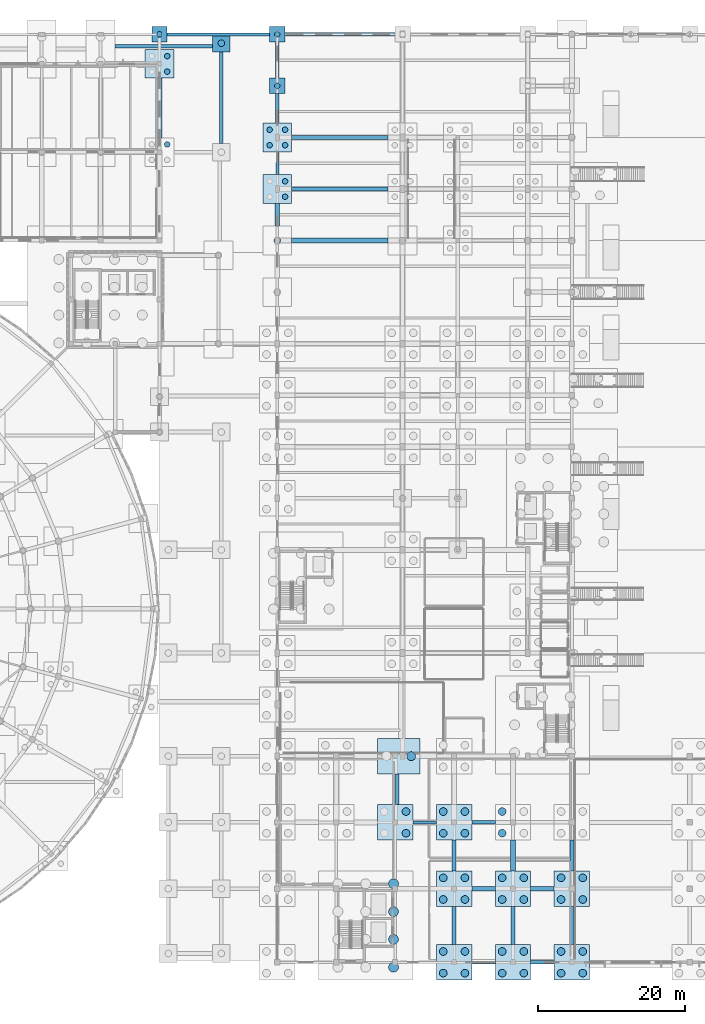
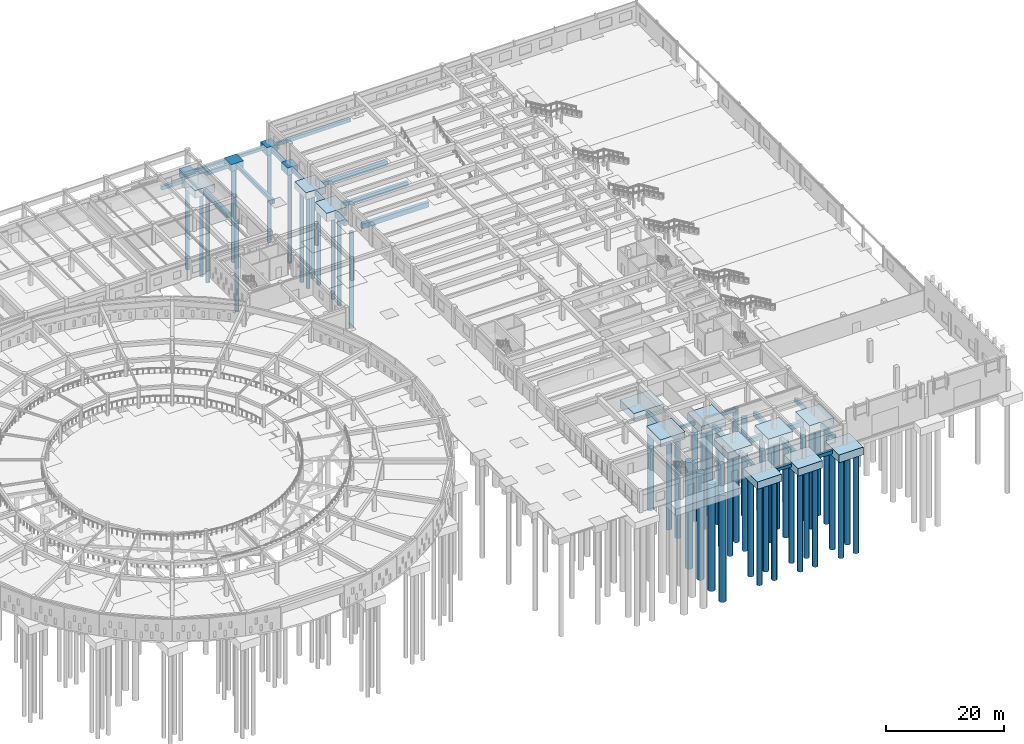
# One storey, part 8 of 84: 51 piles, 41 footings.
"""IFC4 building model written with IfcOpenShell, lengths in metres."""

from ifc_helpers import new_model, si_unit, direction, frame, origin, origin_2d, place, context, subcontext, project, spatial, rectangle, circle, extrude, material, material_profile, profile_set, type_object, element, save


model = new_model("IFC4")

# Units and contexts
model_context = context("Model", 3, precision=1e-05, world=origin(), true_north=direction((0.0, 1.0)))
body_context = subcontext(model_context, "Body", "Model", "MODEL_VIEW")
ifc_project = project(units=[si_unit("LENGTHUNIT", "METRE"), si_unit("AREAUNIT", "SQUARE_METRE"), si_unit("VOLUMEUNIT", "CUBIC_METRE"), si_unit("PLANEANGLEUNIT", "RADIAN"), si_unit("MASSUNIT", "GRAM", prefix="KILO")], contexts=[model_context])

# Site, building, storey
site_placement = place(None, origin())
site = spatial("IfcSite", under=ifc_project, at=site_placement, CompositionType="ELEMENT")
building_placement = place(site_placement, origin())
building = spatial("IfcBuilding", under=site, at=building_placement, Name="Larkveld Mobility Hub", CompositionType="ELEMENT")
storey_placement = place(building_placement, origin())
storey = spatial("IfcBuildingStorey", under=building, at=storey_placement, Name="L00", CompositionType="ELEMENT", Elevation=0.0)

# Footings
ifc_material = material(Name="Concrete C35/45", Category="concrete")
ifc_material_profile_1 = material_profile(ifc_material, rectangle(XDim=0.39990234375, YDim=0.60009765625, at=origin_2d()), Name="RC BM 400x600")
ifc_profile_set_1 = profile_set([ifc_material_profile_1], Name="Concrete C35/45")
footing_type_1 = type_object("IfcFootingType", Name="FT-FB01", PredefinedType="FOOTING_BEAM", material=ifc_profile_set_1)
for number, where, z_axis, x_axis, name in (
    (1, (138.39990234375, 0.0, -0.64990234375), (1.0, 0.0, 0.0), (0.0, 1.0, 0.0), "Ground Tie Beam GB-001"),
    (2, (130.39990234375, 19.0, -0.64990234375), (1.0, 0.0, 0.0), (0.0, 1.0, 0.0), "Ground Tie Beam GB-013"),
):
    element("IfcFooting", number, at=place(storey_placement, frame(where, z_axis=z_axis, x_axis=x_axis)), inside=storey, type_object=footing_type_1, Name=name, PredefinedType="FOOTING_BEAM", context=body_context, shape_type="SweptSolid", body=[
        extrude(rectangle(XDim=0.39990234375, YDim=0.60009765625, at=origin_2d()), origin(), (0.0, 0.0, 1.0), 3.2001953125),
    ])
footing_1_placement = place(storey_placement, frame((97.050048828125, 126.0, -0.64990234375), z_axis=(1.0, 0.0, 0.0), x_axis=(0.0, 1.0, 0.0)))
element("IfcFooting", 3, at=footing_1_placement, inside=storey, type_object=footing_type_1, Name="Ground Tie Beam GB-091", PredefinedType="FOOTING_BEAM", context=body_context, shape_type="SweptSolid", body=[
    extrude(rectangle(XDim=0.39990234375, YDim=0.60009765625, at=origin_2d()), origin(), (0.0, 0.0, 1.0), 13.89990234375),
])
footing_2_placement = place(storey_placement, frame((112.0, 106.949951171875, -0.64990234375), z_axis=(0.0, 1.0, 0.0), x_axis=(-1.0, 0.0, 0.0)))
element("IfcFooting", 4, at=footing_2_placement, inside=storey, type_object=footing_type_1, Name="Ground Tie Beam GB-151", PredefinedType="FOOTING_BEAM", context=body_context, shape_type="SweptSolid", body=[
    extrude(rectangle(XDim=0.39990234375, YDim=0.60009765625, at=origin_2d()), origin(), (0.0, 0.0, 1.0), 3.10009765625),
])
ifc_material_profile_2 = material_profile(ifc_material, rectangle(XDim=0.449951171875, YDim=0.699951171875, at=origin_2d()), Name="RC BM 450x700")
ifc_profile_set_2 = profile_set([ifc_material_profile_2], Name="Concrete C35/45")
footing_type_2 = type_object("IfcFootingType", Name="FT-FB02", PredefinedType="FOOTING_BEAM", material=ifc_profile_set_2)
for number, where, z_axis, x_axis, name in (
    (5, (146.39990234375, 0.0, -0.699951171875), (1.0, 0.0, 0.0), (0.0, 1.0, 0.0), "Ground Tie Beam GB-002"),
    (6, (138.39990234375, 19.0, -0.699951171875), (1.0, 0.0, 0.0), (0.0, 1.0, 0.0), "Ground Tie Beam GB-014"),
):
    element("IfcFooting", number, at=place(storey_placement, frame(where, z_axis=z_axis, x_axis=x_axis)), inside=storey, type_object=footing_type_2, Name=name, PredefinedType="FOOTING_BEAM", context=body_context, shape_type="SweptSolid", body=[
        extrude(rectangle(XDim=0.449951171875, YDim=0.699951171875, at=origin_2d()), origin(), (0.0, 0.0, 1.0), 3.2001953125),
    ])
footing_3_placement = place(storey_placement, frame((113.050048828125, 126.0, -0.699951171875), z_axis=(1.0, 0.0, 0.0), x_axis=(0.0, 1.0, 0.0)))
element("IfcFooting", 7, at=footing_3_placement, inside=storey, type_object=footing_type_2, Name="Ground Tie Beam GB-092", PredefinedType="FOOTING_BEAM", context=body_context, shape_type="SweptSolid", body=[
    extrude(rectangle(XDim=0.449951171875, YDim=0.699951171875, at=origin_2d()), origin(), (0.0, 0.0, 1.0), 14.89990234375),
])
footing_4_placement = place(storey_placement, frame((112.0, 113.949951171875, -0.699951171875), z_axis=(0.0, 1.0, 0.0), x_axis=(-1.0, 0.0, 0.0)))
element("IfcFooting", 8, at=footing_4_placement, inside=storey, type_object=footing_type_2, Name="Ground Tie Beam GB-152", PredefinedType="FOOTING_BEAM", context=body_context, shape_type="SweptSolid", body=[
    extrude(rectangle(XDim=0.449951171875, YDim=0.699951171875, at=origin_2d()), origin(), (0.0, 0.0, 1.0), 4.0),
])
ifc_material_profile_3 = material_profile(ifc_material, rectangle(XDim=0.5, YDim=0.800048828125, at=origin_2d()), Name="RC BM 500x800")
ifc_profile_set_3 = profile_set([ifc_material_profile_3], Name="Concrete C35/45")
footing_type_3 = type_object("IfcFootingType", Name="FT-FB03", PredefinedType="FOOTING_BEAM", material=ifc_profile_set_3)
footing_5_placement = place(storey_placement, frame((112.0, 120.050048828125, -0.75), z_axis=(0.0, 1.0, 0.0), x_axis=(-1.0, 0.0, 0.0)))
element("IfcFooting", 9, at=footing_5_placement, inside=storey, type_object=footing_type_3, Name="Ground Tie Beam GB-153", PredefinedType="FOOTING_BEAM", context=body_context, shape_type="SweptSolid", body=[
    extrude(rectangle(XDim=0.5, YDim=0.800048828125, at=origin_2d()), origin(), (0.0, 0.0, 1.0), 4.89990234375),
])
for number, where, z_axis, x_axis, name in (
    (10, (136.0, 2.39990234375, -0.75), (0.0, 1.0, 0.0), (-1.0, 0.0, 0.0), "Ground Tie Beam GB-165"),
    (11, (152.0, 2.39990234375, -0.75), (0.0, 1.0, 0.0), (-1.0, 0.0, 0.0), "Ground Tie Beam GB-183"),
):
    element("IfcFooting", number, at=place(storey_placement, frame(where, z_axis=z_axis, x_axis=x_axis)), inside=storey, type_object=footing_type_3, Name=name, PredefinedType="FOOTING_BEAM", context=body_context, shape_type="SweptSolid", body=[
        extrude(rectangle(XDim=0.5, YDim=0.800048828125, at=origin_2d()), origin(), (0.0, 0.0, 1.0), 5.2001953125),
    ])
footing_6_placement = place(storey_placement, frame((89.949951171875, 124.39990234375, -0.580078125), z_axis=(1.0, 0.0, 0.0), x_axis=(0.0, 1.0, 0.0)))
element("IfcFooting", 12, at=footing_6_placement, inside=storey, type_object=footing_type_3, Name="Passage Ground Tie Beam PGB-018", PredefinedType="FOOTING_BEAM", context=body_context, shape_type="SweptSolid", body=[
    extrude(rectangle(XDim=0.5, YDim=0.800048828125, at=origin_2d()), origin(), (0.0, 0.0, 1.0), 13.25),
])
footing_7_placement = place(storey_placement, frame((104.39990234375, 111.199951171875, -0.580078125), z_axis=(0.0, 1.0, 0.0), x_axis=(-1.0, 0.0, 0.0)))
element("IfcFooting", 13, at=footing_7_placement, inside=storey, type_object=footing_type_3, Name="Passage Ground Tie Beam PGB-029", PredefinedType="FOOTING_BEAM", context=body_context, shape_type="SweptSolid", body=[
    extrude(rectangle(XDim=0.5, YDim=0.800048828125, at=origin_2d()), origin(), (0.0, 0.0, 1.0), 12.400146484375),
])
ifc_material_profile_4 = material_profile(ifc_material, rectangle(XDim=0.550048828125, YDim=0.85009765625, at=origin_2d()), Name="RC BM 550x850")
ifc_profile_set_4 = profile_set([ifc_material_profile_4], Name="Concrete C35/45")
footing_type_4 = type_object("IfcFootingType", Name="FT-FB04", PredefinedType="FOOTING_BEAM", material=ifc_profile_set_4)
for number, where, z_axis, x_axis, name in (
    (14, (113.949951171875, 105.0, -0.77490234375), (1.0, 0.0, 0.0), (0.0, 1.0, 0.0), "Ground Tie Beam GB-064"),
    (15, (113.949951171875, 112.0, -0.77490234375), (1.0, 0.0, 0.0), (0.0, 1.0, 0.0), "Ground Tie Beam GB-076"),
):
    element("IfcFooting", number, at=place(storey_placement, frame(where, z_axis=z_axis, x_axis=x_axis)), inside=storey, type_object=footing_type_4, Name=name, PredefinedType="FOOTING_BEAM", context=body_context, shape_type="SweptSolid", body=[
        extrude(rectangle(XDim=0.550048828125, YDim=0.85009765625, at=origin_2d()), origin(), (0.0, 0.0, 1.0), 13.10009765625),
    ])
for number, where, z_axis, x_axis, name in (
    (16, (136.0, 12.39990234375, -0.77490234375), (0.0, 1.0, 0.0), (-1.0, 0.0, 0.0), "Ground Tie Beam GB-166"),
    (17, (152.0, 12.39990234375, -0.77490234375), (0.0, 1.0, 0.0), (-1.0, 0.0, 0.0), "Ground Tie Beam GB-184"),
):
    element("IfcFooting", number, at=place(storey_placement, frame(where, z_axis=z_axis, x_axis=x_axis)), inside=storey, type_object=footing_type_4, Name=name, PredefinedType="FOOTING_BEAM", context=body_context, shape_type="SweptSolid", body=[
        extrude(rectangle(XDim=0.550048828125, YDim=0.85009765625, at=origin_2d()), origin(), (0.0, 0.0, 1.0), 4.2001953125),
    ])
ifc_material_profile_5 = material_profile(ifc_material, rectangle(XDim=0.60009765625, YDim=0.89990234375, at=origin_2d()), Name="RC BM 600x900")
ifc_profile_set_5 = profile_set([ifc_material_profile_5], Name="Concrete C35/45")
footing_type_5 = type_object("IfcFootingType", Name="FT-FB05", PredefinedType="FOOTING_BEAM", material=ifc_profile_set_5)
footing_8_placement = place(storey_placement, frame((138.39990234375, 10.0, -0.800048828125), z_axis=(1.0, 0.0, 0.0), x_axis=(0.0, 1.0, 0.0)))
element("IfcFooting", 18, at=footing_8_placement, inside=storey, type_object=footing_type_5, Name="Ground Tie Beam GB-005", PredefinedType="FOOTING_BEAM", context=body_context, shape_type="SweptSolid", body=[
    extrude(rectangle(XDim=0.60009765625, YDim=0.89990234375, at=origin_2d()), origin(), (0.0, 0.0, 1.0), 3.2001953125),
])
footing_9_placement = place(storey_placement, frame((128.25, 21.39990234375, -0.800048828125), z_axis=(0.0, 1.0, 0.0), x_axis=(-1.0, 0.0, 0.0)))
element("IfcFooting", 19, at=footing_9_placement, inside=storey, type_object=footing_type_5, Name="Ground Tie Beam GB-155", PredefinedType="FOOTING_BEAM", context=body_context, shape_type="SweptSolid", body=[
    extrude(rectangle(XDim=0.60009765625, YDim=0.89990234375, at=origin_2d()), origin(), (0.0, 0.0, 1.0), 4.2001953125),
])
footing_10_placement = place(storey_placement, frame((144.0, 2.39990234375, -0.800048828125), z_axis=(0.0, 1.0, 0.0), x_axis=(-1.0, 0.0, 0.0)))
element("IfcFooting", 20, at=footing_10_placement, inside=storey, type_object=footing_type_5, Name="Ground Tie Beam GB-173", PredefinedType="FOOTING_BEAM", context=body_context, shape_type="SweptSolid", body=[
    extrude(rectangle(XDim=0.60009765625, YDim=0.89990234375, at=origin_2d()), origin(), (0.0, 0.0, 1.0), 5.2001953125),
])
ifc_material_profile_6 = material_profile(ifc_material, rectangle(XDim=0.64990234375, YDim=1.0, at=origin_2d()), Name="RC BM 650x1000")
ifc_profile_set_6 = profile_set([ifc_material_profile_6], Name="Concrete C35/45")
footing_type_6 = type_object("IfcFootingType", Name="FT-FB06", PredefinedType="FOOTING_BEAM", material=ifc_profile_set_6)
footing_11_placement = place(storey_placement, frame((146.39990234375, 10.0, -0.85009765625), z_axis=(1.0, 0.0, 0.0), x_axis=(0.0, 1.0, 0.0)))
element("IfcFooting", 21, at=footing_11_placement, inside=storey, type_object=footing_type_6, Name="Ground Tie Beam GB-006", PredefinedType="FOOTING_BEAM", context=body_context, shape_type="SweptSolid", body=[
    extrude(rectangle(XDim=0.64990234375, YDim=1.0, at=origin_2d()), origin(), (0.0, 0.0, 1.0), 3.2001953125),
])
footing_12_placement = place(storey_placement, frame((113.949951171875, 98.0, -0.85009765625), z_axis=(1.0, 0.0, 0.0), x_axis=(0.0, 1.0, 0.0)))
element("IfcFooting", 22, at=footing_12_placement, inside=storey, type_object=footing_type_6, Name="Ground Tie Beam GB-060", PredefinedType="FOOTING_BEAM", context=body_context, shape_type="SweptSolid", body=[
    extrude(rectangle(XDim=0.64990234375, YDim=1.0, at=origin_2d()), origin(), (0.0, 0.0, 1.0), 13.10009765625),
])
footing_13_placement = place(storey_placement, frame((96.0, 111.949951171875, -0.85009765625), z_axis=(0.0, 1.0, 0.0), x_axis=(-1.0, 0.0, 0.0)))
element("IfcFooting", 23, at=footing_13_placement, inside=storey, type_object=footing_type_6, Name="Ground Tie Beam GB-138", PredefinedType="FOOTING_BEAM", context=body_context, shape_type="SweptSolid", body=[
    extrude(rectangle(XDim=0.64990234375, YDim=1.0, at=origin_2d()), origin(), (0.0, 0.0, 1.0), 8.10009765625),
])
footing_14_placement = place(storey_placement, frame((112.0, 99.949951171875, -0.85009765625), z_axis=(0.0, 1.0, 0.0), x_axis=(-1.0, 0.0, 0.0)))
element("IfcFooting", 24, at=footing_14_placement, inside=storey, type_object=footing_type_6, Name="Ground Tie Beam GB-150", PredefinedType="FOOTING_BEAM", context=body_context, shape_type="SweptSolid", body=[
    extrude(rectangle(XDim=0.64990234375, YDim=1.0, at=origin_2d()), origin(), (0.0, 0.0, 1.0), 3.10009765625),
])
footing_15_placement = place(storey_placement, frame((144.0, 12.39990234375, -0.85009765625), z_axis=(0.0, 1.0, 0.0), x_axis=(-1.0, 0.0, 0.0)))
element("IfcFooting", 25, at=footing_15_placement, inside=storey, type_object=footing_type_6, Name="Ground Tie Beam GB-174", PredefinedType="FOOTING_BEAM", context=body_context, shape_type="SweptSolid", body=[
    extrude(rectangle(XDim=0.64990234375, YDim=1.0, at=origin_2d()), origin(), (0.0, 0.0, 1.0), 4.2001953125),
])
footing_type_7 = type_object("IfcFootingType", Name="FT-PC03", PredefinedType="PILE_CAP", material=ifc_material)
footing_16_placement = place(storey_placement, frame((136.0, 0.0, -1.5), z_axis=(0.0, 0.0, 1.0), x_axis=(1.0, 0.0, 0.0)))
element("IfcFooting", 26, at=footing_16_placement, inside=storey, type_object=footing_type_7, Name="Pile Cap PC-003", PredefinedType="PILE_CAP", context=body_context, shape_type="SweptSolid", body=[
    extrude(rectangle(XDim=4.800048828125, YDim=4.800048828125, at=origin_2d()), origin(), (0.0, 0.0, 1.0), 1.5),
])
footing_17_placement = place(storey_placement, frame((112.0, 119.0, -1.5), z_axis=(0.0, 0.0, 1.0), x_axis=(1.0, 0.0, 0.0)))
element("IfcFooting", 27, at=footing_17_placement, inside=storey, type_object=footing_type_7, Name="Pile Cap PC-195", PredefinedType="PILE_CAP", context=body_context, shape_type="SweptSolid", body=[
    extrude(rectangle(XDim=2.10009765625, YDim=2.10009765625, at=origin_2d()), origin(), (0.0, 0.0, 1.0), 1.5),
])
footing_type_8 = type_object("IfcFootingType", Name="FT-PC04", PredefinedType="PILE_CAP", material=ifc_material)
footing_18_placement = place(storey_placement, frame((144.0, 0.0, -1.5498046875), z_axis=(0.0, 0.0, 1.0), x_axis=(1.0, 0.0, 0.0)))
element("IfcFooting", 28, at=footing_18_placement, inside=storey, type_object=footing_type_8, Name="Pile Cap PC-004", PredefinedType="PILE_CAP", context=body_context, shape_type="SweptSolid", body=[
    extrude(rectangle(XDim=4.800048828125, YDim=4.800048828125, at=origin_2d()), origin(), (0.0, 0.0, 1.0), 1.550048828125),
])
footing_type_9 = type_object("IfcFootingType", Name="FT-PC05", PredefinedType="PILE_CAP", material=ifc_material)
footing_19_placement = place(storey_placement, frame((152.0, 0.0, -1.60009765625), z_axis=(0.0, 0.0, 1.0), x_axis=(1.0, 0.0, 0.0)))
element("IfcFooting", 29, at=footing_19_placement, inside=storey, type_object=footing_type_9, Name="Pile Cap PC-005", PredefinedType="PILE_CAP", context=body_context, shape_type="SweptSolid", body=[
    extrude(rectangle(XDim=4.800048828125, YDim=4.800048828125, at=origin_2d()), origin(), (0.0, 0.0, 1.0), 1.60009765625),
])
footing_type_10 = type_object("IfcFootingType", Name="FT-PC06", PredefinedType="PILE_CAP", material=ifc_material)
footing_20_placement = place(storey_placement, frame((96.0, 126.0, -1.60009765625), z_axis=(0.0, 0.0, 1.0), x_axis=(1.0, 0.0, 0.0)))
element("IfcFooting", 30, at=footing_20_placement, inside=storey, type_object=footing_type_10, Name="Pile Cap PC-214", PredefinedType="PILE_CAP", context=body_context, shape_type="SweptSolid", body=[
    extrude(rectangle(XDim=2.10009765625, YDim=2.10009765625, at=origin_2d()), origin(), (0.0, 0.0, 1.0), 1.60009765625),
])
footing_type_11 = type_object("IfcFootingType", Name="FT-PC07", PredefinedType="PILE_CAP", material=ifc_material)
footing_21_placement = place(storey_placement, frame((112.0, 126.0, -1.64990234375), z_axis=(0.0, 0.0, 1.0), x_axis=(1.0, 0.0, 0.0)))
element("IfcFooting", 31, at=footing_21_placement, inside=storey, type_object=footing_type_11, Name="Pile Cap PC-215", PredefinedType="PILE_CAP", context=body_context, shape_type="SweptSolid", body=[
    extrude(rectangle(XDim=2.10009765625, YDim=2.10009765625, at=origin_2d()), origin(), (0.0, 0.0, 1.0), 1.64990234375),
])
footing_type_12 = type_object("IfcFootingType", Name="FT-PC11", PredefinedType="PILE_CAP", material=ifc_material)
footing_22_placement = place(storey_placement, frame((112.0, 105.0, -1.7998046875), z_axis=(0.0, 0.0, 1.0), x_axis=(1.0, 0.0, 0.0)))
element("IfcFooting", 32, at=footing_22_placement, inside=storey, type_object=footing_type_12, Name="Pile Cap PC-171", PredefinedType="PILE_CAP", context=body_context, shape_type="SweptSolid", body=[
    extrude(rectangle(XDim=3.89990234375, YDim=3.89990234375, at=origin_2d()), origin(), (0.0, 0.0, 1.0), 1.800048828125),
])
footing_type_13 = type_object("IfcFootingType", Name="FT-PC13", PredefinedType="PILE_CAP", material=ifc_material)
footing_23_placement = place(storey_placement, frame((136.0, 10.0, -1.419921875), z_axis=(0.0, 0.0, 1.0), x_axis=(1.0, 0.0, 0.0)))
element("IfcFooting", 33, at=footing_23_placement, inside=storey, type_object=footing_type_13, Name="Pile Cap PC-013", PredefinedType="PILE_CAP", context=body_context, shape_type="SweptSolid", body=[
    extrude(rectangle(XDim=4.800048828125, YDim=4.800048828125, at=origin_2d()), origin(), (0.0, 0.0, 1.0), 1.419921875),
])
footing_24_placement = place(storey_placement, frame((112.0, 112.0, -1.419921875), z_axis=(0.0, 0.0, 1.0), x_axis=(1.0, 0.0, 0.0)))
element("IfcFooting", 34, at=footing_24_placement, inside=storey, type_object=footing_type_13, Name="Pile Cap PC-189", PredefinedType="PILE_CAP", context=body_context, shape_type="SweptSolid", body=[
    extrude(rectangle(XDim=3.89990234375, YDim=3.89990234375, at=origin_2d()), origin(), (0.0, 0.0, 1.0), 1.419921875),
])
footing_25_placement = place(storey_placement, frame((104.39990234375, 124.800048828125, -1.419921875), z_axis=(0.0, 0.0, 1.0), x_axis=(1.0, 0.0, 0.0)))
element("IfcFooting", 35, at=footing_25_placement, inside=storey, type_object=footing_type_13, Name="Plinth Pile Cap PC-DL20", PredefinedType="PILE_CAP", context=body_context, shape_type="SweptSolid", body=[
    extrude(rectangle(XDim=2.39990234375, YDim=2.39990234375, at=origin_2d()), origin(), (0.0, 0.0, 1.0), 1.419921875),
])
footing_type_14 = type_object("IfcFootingType", Name="FT-PC14", PredefinedType="PILE_CAP", material=ifc_material)
for number, where, z_axis, x_axis, name in (
    (36, (144.0, 10.0, -1.47998046875), (0.0, 0.0, 1.0), (1.0, 0.0, 0.0), "Pile Cap PC-014"),
    (37, (128.0, 19.0, -1.47998046875), (0.0, 0.0, 1.0), (1.0, 0.0, 0.0), "Pile Cap PC-030"),
):
    element("IfcFooting", number, at=place(storey_placement, frame(where, z_axis=z_axis, x_axis=x_axis)), inside=storey, type_object=footing_type_14, Name=name, PredefinedType="PILE_CAP", context=body_context, shape_type="SweptSolid", body=[
        extrude(rectangle(XDim=4.800048828125, YDim=4.800048828125, at=origin_2d()), origin(), (0.0, 0.0, 1.0), 1.47998046875),
    ])
footing_type_15 = type_object("IfcFootingType", Name="FT-PC15", PredefinedType="PILE_CAP", material=ifc_material)
for number, where, z_axis, x_axis, name in (
    (38, (152.0, 10.0, -1.6201171875), (0.0, 0.0, 1.0), (1.0, 0.0, 0.0), "Pile Cap PC-015"),
    (39, (136.0, 19.0, -1.6201171875), (0.0, 0.0, 1.0), (1.0, 0.0, 0.0), "Pile Cap PC-031"),
):
    element("IfcFooting", number, at=place(storey_placement, frame(where, z_axis=z_axis, x_axis=x_axis)), inside=storey, type_object=footing_type_15, Name=name, PredefinedType="PILE_CAP", context=body_context, shape_type="SweptSolid", body=[
        extrude(rectangle(XDim=4.800048828125, YDim=4.800048828125, at=origin_2d()), origin(), (0.0, 0.0, 1.0), 1.6201171875),
    ])
footing_26_placement = place(storey_placement, frame((128.5, 28.0, -1.6201171875), z_axis=(0.0, 0.0, 1.0), x_axis=(1.0, 0.0, 0.0)))
element("IfcFooting", 40, at=footing_26_placement, inside=storey, type_object=footing_type_15, Name="Pile Cap PC-047", PredefinedType="PILE_CAP", context=body_context, shape_type="SweptSolid", body=[
    extrude(rectangle(XDim=5.800048828125, YDim=4.800048828125, at=origin_2d()), origin(), (0.0, 0.0, 1.0), 1.6201171875),
])
footing_27_placement = place(storey_placement, frame((96.0, 122.0, -1.6201171875), z_axis=(0.0, 0.0, 1.0), x_axis=(1.0, 0.0, 0.0)))
element("IfcFooting", 41, at=footing_27_placement, inside=storey, type_object=footing_type_15, Name="Pile Cap PC-207", PredefinedType="PILE_CAP", context=body_context, shape_type="SweptSolid", body=[
    extrude(rectangle(XDim=3.89990234375, YDim=3.89990234375, at=origin_2d()), origin(), (0.0, 0.0, 1.0), 1.6201171875),
])

# Piles
ifc_material_profile_7 = material_profile(ifc_material, circle(Radius=0.375, at=origin_2d()), Name="PILE D750")
ifc_profile_set_7 = profile_set([ifc_material_profile_7], Name="Concrete C35/45")
pile_type_1 = type_object("IfcPileType", Name="PL-B0750", PredefinedType="BORED", material=ifc_profile_set_7)
for number, where, z_axis, x_axis, name in (
    (42, (113.050048828125, 103.949951171875, -1.699951171875), (0.0, 0.0, -1.0), (1.0, 0.0, 0.0), "Bored Pile P-0484"),
    (43, (113.050048828125, 106.050048828125, -1.699951171875), (0.0, 0.0, -1.0), (1.0, 0.0, 0.0), "Bored Pile P-0485"),
):
    element("IfcPile", number, at=place(storey_placement, frame(where, z_axis=z_axis, x_axis=x_axis)), inside=storey, type_object=pile_type_1, Name=name, PredefinedType="BORED", context=body_context, shape_type="SweptSolid", body=[
        extrude(circle(Radius=0.375, at=origin_2d()), origin(), (0.0, 0.0, 1.0), 18.800048828125),
    ])
pile_1_placement = place(storey_placement, frame((97.050048828125, 111.050048828125, -1.64990234375), z_axis=(0.0, 0.0, -1.0), x_axis=(1.0, 0.0, 0.0)))
element("IfcPile", 44, at=pile_1_placement, inside=storey, type_object=pile_type_1, Name="Bored Pile P-0529", PredefinedType="BORED", context=body_context, shape_type="SweptSolid", body=[
    extrude(circle(Radius=0.375, at=origin_2d()), origin(), (0.0, 0.0, 1.0), 18.85009765625),
])
for number, where, z_axis, x_axis, name in (
    (45, (110.949951171875, 110.949951171875, -1.320068359375), (0.0, 0.0, -1.0), (1.0, 0.0, 0.0), "Bored Pile P-0532"),
    (46, (110.949951171875, 113.050048828125, -1.320068359375), (0.0, 0.0, -1.0), (1.0, 0.0, 0.0), "Bored Pile P-0533"),
    (47, (113.050048828125, 110.949951171875, -1.320068359375), (0.0, 0.0, -1.0), (1.0, 0.0, 0.0), "Bored Pile P-0534"),
    (48, (113.050048828125, 113.050048828125, -1.320068359375), (0.0, 0.0, -1.0), (1.0, 0.0, 0.0), "Bored Pile P-0535"),
):
    element("IfcPile", number, at=place(storey_placement, frame(where, z_axis=z_axis, x_axis=x_axis)), inside=storey, type_object=pile_type_1, Name=name, PredefinedType="BORED", context=body_context, shape_type="SweptSolid", body=[
        extrude(circle(Radius=0.375, at=origin_2d()), origin(), (0.0, 0.0, 1.0), 19.179931640625),
    ])
pile_2_placement = place(storey_placement, frame((112.0, 119.0, -1.39990234375), z_axis=(0.0, 0.0, -1.0), x_axis=(1.0, 0.0, 0.0)))
element("IfcPile", 49, at=pile_2_placement, inside=storey, type_object=pile_type_1, Name="Bored Pile P-0550", PredefinedType="BORED", context=body_context, shape_type="SweptSolid", body=[
    extrude(circle(Radius=0.375, at=origin_2d()), origin(), (0.0, 0.0, 1.0), 19.10009765625),
])
for number, where, z_axis, x_axis, name in (
    (50, (97.050048828125, 120.949951171875, -1.52001953125), (0.0, 0.0, -1.0), (1.0, 0.0, 0.0), "Bored Pile P-0574"),
    (51, (97.050048828125, 123.050048828125, -1.52001953125), (0.0, 0.0, -1.0), (1.0, 0.0, 0.0), "Bored Pile P-0575"),
):
    element("IfcPile", number, at=place(storey_placement, frame(where, z_axis=z_axis, x_axis=x_axis)), inside=storey, type_object=pile_type_1, Name=name, PredefinedType="BORED", context=body_context, shape_type="SweptSolid", body=[
        extrude(circle(Radius=0.375, at=origin_2d()), origin(), (0.0, 0.0, 1.0), 18.97998046875),
    ])
pile_3_placement = place(storey_placement, frame((96.0, 126.0, -1.5), z_axis=(0.0, 0.0, -1.0), x_axis=(1.0, 0.0, 0.0)))
element("IfcPile", 52, at=pile_3_placement, inside=storey, type_object=pile_type_1, Name="Bored Pile P-0582", PredefinedType="BORED", context=body_context, shape_type="SweptSolid", body=[
    extrude(circle(Radius=0.375, at=origin_2d()), origin(), (0.0, 0.0, 1.0), 19.0),
])
pile_4_placement = place(storey_placement, frame((112.0, 126.0, -1.550048828125), z_axis=(0.0, 0.0, -1.0), x_axis=(1.0, 0.0, 0.0)))
element("IfcPile", 53, at=pile_4_placement, inside=storey, type_object=pile_type_1, Name="Bored Pile P-0583", PredefinedType="BORED", context=body_context, shape_type="SweptSolid", body=[
    extrude(circle(Radius=0.375, at=origin_2d()), origin(), (0.0, 0.0, 1.0), 18.949951171875),
])
ifc_material_profile_8 = material_profile(ifc_material, circle(Radius=0.449951171875, at=origin_2d()), Name="PILE D900")
ifc_profile_set_8 = profile_set([ifc_material_profile_8], Name="Concrete C35/45")
pile_type_2 = type_object("IfcPileType", Name="PL-B0900", PredefinedType="BORED", material=ifc_profile_set_8)
pile_5_placement = place(storey_placement, frame((112.0, 98.0, -1.39990234375), z_axis=(0.0, 0.0, -1.0), x_axis=(1.0, 0.0, 0.0)))
element("IfcPile", 54, at=pile_5_placement, inside=storey, type_object=pile_type_2, Name="Bored Pile P-0471", PredefinedType="BORED", context=body_context, shape_type="SweptSolid", body=[
    extrude(circle(Radius=0.449951171875, at=origin_2d()), origin(), (0.0, 0.0, 1.0), 19.800048828125),
])
pile_6_placement = place(storey_placement, frame((104.39990234375, 124.800048828125, -1.320068359375), z_axis=(0.0, 0.0, -1.0), x_axis=(1.0, 0.0, 0.0)))
element("IfcPile", 55, at=pile_6_placement, inside=storey, type_object=pile_type_2, Name="Bored Pile P-DL20", PredefinedType="BORED", context=body_context, shape_type="SweptSolid", body=[
    extrude(circle(Radius=0.449951171875, at=origin_2d()), origin(), (0.0, 0.0, 1.0), 19.8798828125),
])
ifc_material_profile_9 = material_profile(ifc_material, circle(Radius=0.52490234375, at=origin_2d()), Name="PILE D1050")
ifc_profile_set_9 = profile_set([ifc_material_profile_9], Name="Concrete C35/45")
pile_type_3 = type_object("IfcPileType", Name="PL-B1050", PredefinedType="BORED", material=ifc_profile_set_9)
for number, where, z_axis, x_axis, name in (
    (56, (134.530029296875, -1.469970703125, -1.39990234375), (0.0, 0.0, -1.0), (1.0, 0.0, 0.0), "Bored Pile P-0017"),
    (57, (134.530029296875, 1.469970703125, -1.39990234375), (0.0, 0.0, -1.0), (1.0, 0.0, 0.0), "Bored Pile P-0018"),
    (58, (137.469970703125, -1.469970703125, -1.39990234375), (0.0, 0.0, -1.0), (1.0, 0.0, 0.0), "Bored Pile P-0019"),
    (59, (137.469970703125, 1.469970703125, -1.39990234375), (0.0, 0.0, -1.0), (1.0, 0.0, 0.0), "Bored Pile P-0020"),
):
    element("IfcPile", number, at=place(storey_placement, frame(where, z_axis=z_axis, x_axis=x_axis)), inside=storey, type_object=pile_type_3, Name=name, PredefinedType="BORED", context=body_context, shape_type="SweptSolid", body=[
        extrude(circle(Radius=0.52490234375, at=origin_2d()), origin(), (0.0, 0.0, 1.0), 20.60009765625),
    ])
for number, where, z_axis, x_axis, name in (
    (60, (142.530029296875, -1.469970703125, -1.449951171875), (0.0, 0.0, -1.0), (1.0, 0.0, 0.0), "Bored Pile P-0021"),
    (61, (142.530029296875, 1.469970703125, -1.449951171875), (0.0, 0.0, -1.0), (1.0, 0.0, 0.0), "Bored Pile P-0022"),
    (62, (145.469970703125, -1.469970703125, -1.449951171875), (0.0, 0.0, -1.0), (1.0, 0.0, 0.0), "Bored Pile P-0023"),
    (63, (145.469970703125, 1.469970703125, -1.449951171875), (0.0, 0.0, -1.0), (1.0, 0.0, 0.0), "Bored Pile P-0024"),
):
    element("IfcPile", number, at=place(storey_placement, frame(where, z_axis=z_axis, x_axis=x_axis)), inside=storey, type_object=pile_type_3, Name=name, PredefinedType="BORED", context=body_context, shape_type="SweptSolid", body=[
        extrude(circle(Radius=0.52490234375, at=origin_2d()), origin(), (0.0, 0.0, 1.0), 20.550048828125),
    ])
for number, where, z_axis, x_axis, name in (
    (64, (150.530029296875, -1.469970703125, -1.5), (0.0, 0.0, -1.0), (1.0, 0.0, 0.0), "Bored Pile P-0025"),
    (65, (150.530029296875, 1.469970703125, -1.5), (0.0, 0.0, -1.0), (1.0, 0.0, 0.0), "Bored Pile P-0026"),
    (66, (153.469970703125, -1.469970703125, -1.5), (0.0, 0.0, -1.0), (1.0, 0.0, 0.0), "Bored Pile P-0027"),
    (67, (153.469970703125, 1.469970703125, -1.5), (0.0, 0.0, -1.0), (1.0, 0.0, 0.0), "Bored Pile P-0028"),
):
    element("IfcPile", number, at=place(storey_placement, frame(where, z_axis=z_axis, x_axis=x_axis)), inside=storey, type_object=pile_type_3, Name=name, PredefinedType="BORED", context=body_context, shape_type="SweptSolid", body=[
        extrude(circle(Radius=0.52490234375, at=origin_2d()), origin(), (0.0, 0.0, 1.0), 20.5),
    ])
for number, where, z_axis, x_axis, name in (
    (68, (134.530029296875, 8.530029296875, -1.320068359375), (0.0, 0.0, -1.0), (1.0, 0.0, 0.0), "Bored Pile P-0054"),
    (69, (134.530029296875, 11.469970703125, -1.320068359375), (0.0, 0.0, -1.0), (1.0, 0.0, 0.0), "Bored Pile P-0055"),
    (70, (137.469970703125, 8.530029296875, -1.320068359375), (0.0, 0.0, -1.0), (1.0, 0.0, 0.0), "Bored Pile P-0056"),
    (71, (137.469970703125, 11.469970703125, -1.320068359375), (0.0, 0.0, -1.0), (1.0, 0.0, 0.0), "Bored Pile P-0057"),
):
    element("IfcPile", number, at=place(storey_placement, frame(where, z_axis=z_axis, x_axis=x_axis)), inside=storey, type_object=pile_type_3, Name=name, PredefinedType="BORED", context=body_context, shape_type="SweptSolid", body=[
        extrude(circle(Radius=0.52490234375, at=origin_2d()), origin(), (0.0, 0.0, 1.0), 20.679931640625),
    ])
for number, where, z_axis, x_axis, name in (
    (72, (142.530029296875, 8.530029296875, -1.3798828125), (0.0, 0.0, -1.0), (1.0, 0.0, 0.0), "Bored Pile P-0058"),
    (73, (142.530029296875, 11.469970703125, -1.3798828125), (0.0, 0.0, -1.0), (1.0, 0.0, 0.0), "Bored Pile P-0059"),
    (74, (145.469970703125, 8.530029296875, -1.3798828125), (0.0, 0.0, -1.0), (1.0, 0.0, 0.0), "Bored Pile P-0060"),
    (75, (145.469970703125, 11.469970703125, -1.3798828125), (0.0, 0.0, -1.0), (1.0, 0.0, 0.0), "Bored Pile P-0061"),
):
    element("IfcPile", number, at=place(storey_placement, frame(where, z_axis=z_axis, x_axis=x_axis)), inside=storey, type_object=pile_type_3, Name=name, PredefinedType="BORED", context=body_context, shape_type="SweptSolid", body=[
        extrude(circle(Radius=0.52490234375, at=origin_2d()), origin(), (0.0, 0.0, 1.0), 20.6201171875),
    ])
for number, where, z_axis, x_axis, name in (
    (76, (150.530029296875, 8.530029296875, -1.52001953125), (0.0, 0.0, -1.0), (1.0, 0.0, 0.0), "Bored Pile P-0062"),
    (77, (150.530029296875, 11.469970703125, -1.52001953125), (0.0, 0.0, -1.0), (1.0, 0.0, 0.0), "Bored Pile P-0063"),
    (78, (153.469970703125, 8.530029296875, -1.52001953125), (0.0, 0.0, -1.0), (1.0, 0.0, 0.0), "Bored Pile P-0064"),
    (79, (153.469970703125, 11.469970703125, -1.52001953125), (0.0, 0.0, -1.0), (1.0, 0.0, 0.0), "Bored Pile P-0065"),
):
    element("IfcPile", number, at=place(storey_placement, frame(where, z_axis=z_axis, x_axis=x_axis)), inside=storey, type_object=pile_type_3, Name=name, PredefinedType="BORED", context=body_context, shape_type="SweptSolid", body=[
        extrude(circle(Radius=0.52490234375, at=origin_2d()), origin(), (0.0, 0.0, 1.0), 20.47998046875),
    ])
for number, where, z_axis, x_axis, name in (
    (80, (129.469970703125, 17.530029296875, -1.3798828125), (0.0, 0.0, -1.0), (1.0, 0.0, 0.0), "Bored Pile P-0112"),
    (81, (129.469970703125, 20.469970703125, -1.3798828125), (0.0, 0.0, -1.0), (1.0, 0.0, 0.0), "Bored Pile P-0113"),
):
    element("IfcPile", number, at=place(storey_placement, frame(where, z_axis=z_axis, x_axis=x_axis)), inside=storey, type_object=pile_type_3, Name=name, PredefinedType="BORED", context=body_context, shape_type="SweptSolid", body=[
        extrude(circle(Radius=0.52490234375, at=origin_2d()), origin(), (0.0, 0.0, 1.0), 20.6201171875),
    ])
for number, where, z_axis, x_axis, name in (
    (82, (134.530029296875, 17.530029296875, -1.52001953125), (0.0, 0.0, -1.0), (1.0, 0.0, 0.0), "Bored Pile P-0114"),
    (83, (134.530029296875, 20.469970703125, -1.52001953125), (0.0, 0.0, -1.0), (1.0, 0.0, 0.0), "Bored Pile P-0115"),
    (84, (137.469970703125, 17.530029296875, -1.52001953125), (0.0, 0.0, -1.0), (1.0, 0.0, 0.0), "Bored Pile P-0116"),
    (85, (137.469970703125, 20.469970703125, -1.52001953125), (0.0, 0.0, -1.0), (1.0, 0.0, 0.0), "Bored Pile P-0117"),
):
    element("IfcPile", number, at=place(storey_placement, frame(where, z_axis=z_axis, x_axis=x_axis)), inside=storey, type_object=pile_type_3, Name=name, PredefinedType="BORED", context=body_context, shape_type="SweptSolid", body=[
        extrude(circle(Radius=0.52490234375, at=origin_2d()), origin(), (0.0, 0.0, 1.0), 20.47998046875),
    ])
for number, where, z_axis, x_axis, name in (
    (86, (142.530029296875, 17.530029296875, -1.6201171875), (0.0, 0.0, -1.0), (1.0, 0.0, 0.0), "Bored Pile P-0118"),
    (87, (142.530029296875, 20.469970703125, -1.6201171875), (0.0, 0.0, -1.0), (1.0, 0.0, 0.0), "Bored Pile P-0119"),
):
    element("IfcPile", number, at=place(storey_placement, frame(where, z_axis=z_axis, x_axis=x_axis)), inside=storey, type_object=pile_type_3, Name=name, PredefinedType="BORED", context=body_context, shape_type="SweptSolid", body=[
        extrude(circle(Radius=0.52490234375, at=origin_2d()), origin(), (0.0, 0.0, 1.0), 20.3798828125),
    ])
ifc_material_profile_10 = material_profile(ifc_material, circle(Radius=0.60009765625, at=origin_2d()), Name="PILE D1200")
ifc_profile_set_10 = profile_set([ifc_material_profile_10], Name="Concrete C35/45")
pile_type_4 = type_object("IfcPileType", Name="PL-B1200", PredefinedType="BORED", material=ifc_profile_set_10)
pile_7_placement = place(storey_placement, frame((130.179931640625, 28.0, -1.52001953125), z_axis=(0.0, 0.0, -1.0), x_axis=(1.0, 0.0, 0.0)))
element("IfcPile", 88, at=pile_7_placement, inside=storey, type_object=pile_type_4, Name="Bored Pile P-0161", PredefinedType="BORED", context=body_context, shape_type="SweptSolid", body=[
    extrude(circle(Radius=0.60009765625, at=origin_2d()), origin(), (0.0, 0.0, 1.0), 21.280029296875),
])
ifc_material_profile_11 = material_profile(ifc_material, circle(Radius=0.675048828125, at=origin_2d()), Name="PILE D1350")
ifc_profile_set_11 = profile_set([ifc_material_profile_11], Name="Concrete C35/45")
pile_type_5 = type_object("IfcPileType", Name="PL-B1350", PredefinedType="BORED", material=ifc_profile_set_11)
for number, where, z_axis, x_axis, name in (
    (89, (127.780029296875, -0.669921875, -1.35009765625), (0.0, 0.0, -1.0), (1.0, 0.0, 0.0), "Bored Pile P-0013"),
    (90, (127.780029296875, 3.110107421875, -1.35009765625), (0.0, 0.0, -1.0), (1.0, 0.0, 0.0), "Bored Pile P-0014"),
    (91, (127.780029296875, 6.889892578125, -1.35009765625), (0.0, 0.0, -1.0), (1.0, 0.0, 0.0), "Bored Pile P-0015"),
    (92, (127.780029296875, 10.669921875, -1.35009765625), (0.0, 0.0, -1.0), (1.0, 0.0, 0.0), "Bored Pile P-0016"),
):
    element("IfcPile", number, at=place(storey_placement, frame(where, z_axis=z_axis, x_axis=x_axis)), inside=storey, type_object=pile_type_5, Name=name, PredefinedType="BORED", context=body_context, shape_type="SweptSolid", body=[
        extrude(circle(Radius=0.675048828125, at=origin_2d()), origin(), (0.0, 0.0, 1.0), 22.14990234375),
    ])

save(model, "model.ifc")
